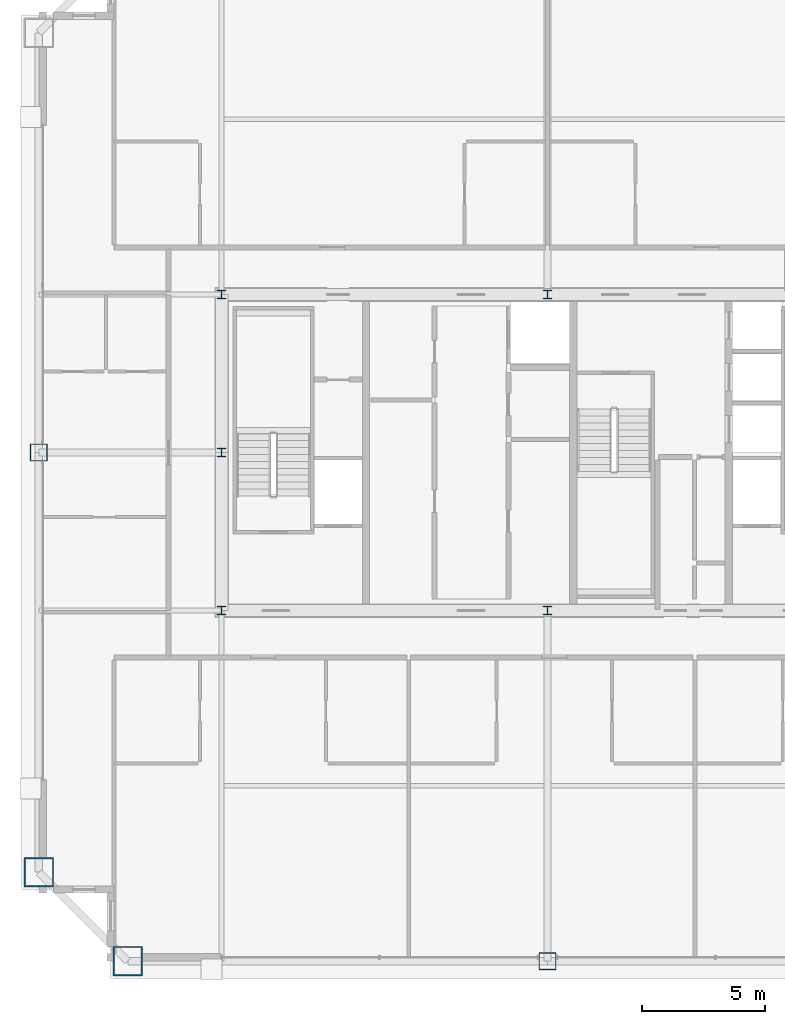
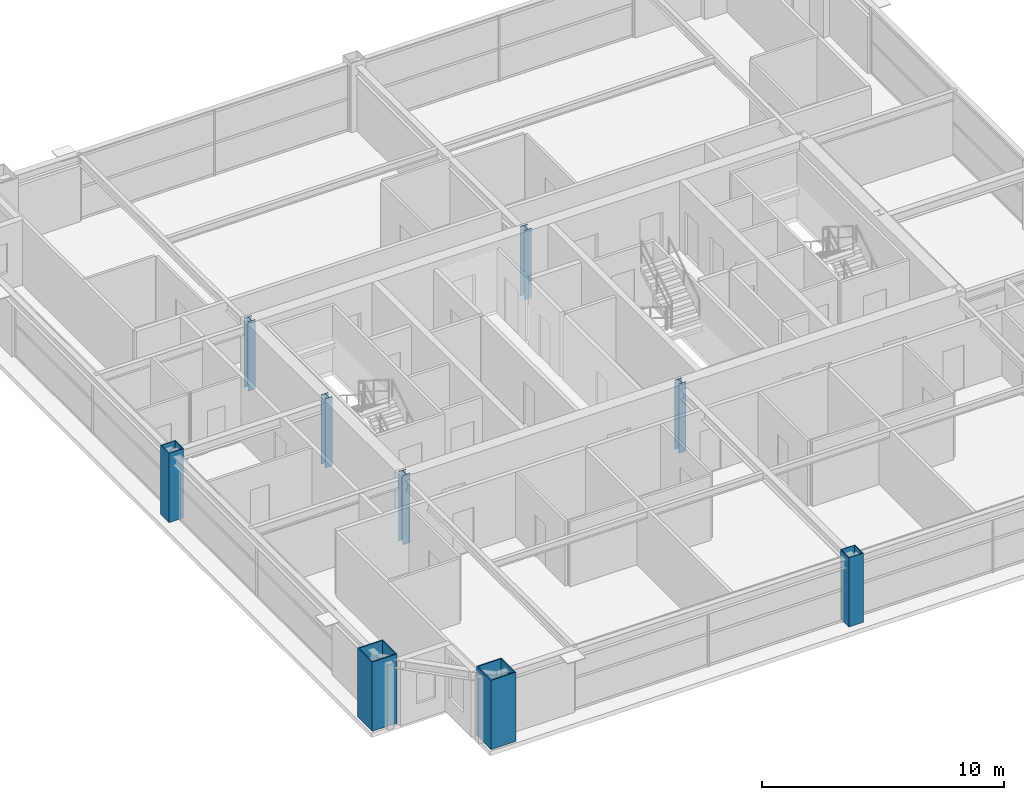
# One storey, part 1 of 37: 9 columns.
"""IFC4 building model written with IfcOpenShell, lengths in metres."""

import ifcopenshell
import ifcopenshell.guid

model = None  # the IFC model being written
_history = None  # IfcOwnerHistory: only IFC2X3 demands one
_inside = {}  # id of a spatial element -> (the spatial element, [elements in it])
_under = {}  # id of a project, library or spatial element -> (it, [spatial elements below it])
_declared = {}  # id of a project -> (the project, [libraries it declares])
_typed = {}  # id of a type object -> (the type object, [elements of that type])
_made_of = {}  # id of a material, layer set ... -> (it, [elements and type objects made of it])


def new_model(schema):
    """Start an empty IFC model of exactly this schema.

    Asked for "IFC4X3", IfcOpenShell would pick the latest addendum, in which some entities
    have other attributes; the version numbers below select the first issue.
    IFC2X3 requires an IfcOwnerHistory on every rooted entity: one is made here for all.
    """
    global model, _history
    if schema == "IFC4X3":
        model = ifcopenshell.file(schema_version=(4, 3, 0, 0))
    else:
        model = ifcopenshell.file(schema=schema)
    _inside.clear()
    _under.clear()
    _declared.clear()
    _typed.clear()
    _made_of.clear()
    _history = None
    if model.schema == "IFC2X3":
        org = make("IfcOrganization", Name="unknown")
        user = make(
            "IfcPersonAndOrganization",
            ThePerson=make("IfcPerson", FamilyName="unknown"),
            TheOrganization=org,
        )
        app = make(
            "IfcApplication",
            ApplicationDeveloper=org,
            Version="unknown",
            ApplicationFullName="unknown",
            ApplicationIdentifier="unknown",
        )
        _history = make(
            "IfcOwnerHistory",
            OwningUser=user,
            OwningApplication=app,
            ChangeAction="ADDED",
            CreationDate=0,
        )
    return model


def make(cls, **values):
    """One entity of the class cls with the attributes given. An attribute that is None is left unset."""
    return model.create_entity(
        cls, **{name: value for name, value in values.items() if value is not None}
    )


def rooted(cls, **values):
    """An entity with a GlobalId (a new one), such as an element, a storey or a relation."""
    return make(cls, GlobalId=ifcopenshell.guid.new(), OwnerHistory=_history, **values)


def si_unit(unit_type, name, prefix=None):
    """IfcSIUnit, for example si_unit("LENGTHUNIT", "METRE", prefix="MILLI")."""
    return make("IfcSIUnit", UnitType=unit_type, Prefix=prefix, Name=name)


def assignment(units):
    """IfcUnitAssignment: the units of a project."""
    return None if units is None else make("IfcUnitAssignment", Units=units)


def point(xyz):
    """IfcCartesianPoint."""
    return None if xyz is None else make("IfcCartesianPoint", Coordinates=xyz)


def direction(xyz):
    """IfcDirection."""
    return None if xyz is None else make("IfcDirection", DirectionRatios=xyz)


def frame(location, z_axis=None, x_axis=None):
    """IfcAxis2Placement3D, a coordinate frame: its origin and axes. An axis left out is left unset."""
    return make(
        "IfcAxis2Placement3D",
        Location=point(location),
        Axis=direction(z_axis),
        RefDirection=direction(x_axis),
    )


def frame_2d(location, x_axis=None):
    """IfcAxis2Placement2D, a coordinate frame in the plane: its origin and x axis."""
    return make(
        "IfcAxis2Placement2D", Location=point(location), RefDirection=direction(x_axis)
    )


def origin():
    """The frame at (0, 0, 0) with its axes left unset."""
    return frame((0.0, 0.0, 0.0))


def origin_2d():
    """The frame at (0, 0) in the plane with its x axis left unset."""
    return frame_2d((0.0, 0.0))


def place(relative_to, where):
    """IfcLocalPlacement: puts the frame where relative to a parent placement (None: the world)."""
    return make(
        "IfcLocalPlacement", PlacementRelTo=relative_to, RelativePlacement=where
    )


def context(
    kind, dimensions, precision=None, world=None, true_north=None, identifier=None
):
    """IfcGeometricRepresentationContext, for example the 3D "Model" context."""
    return make(
        "IfcGeometricRepresentationContext",
        ContextIdentifier=identifier,
        ContextType=kind,
        CoordinateSpaceDimension=dimensions,
        Precision=precision,
        WorldCoordinateSystem=world,
        TrueNorth=true_north,
    )


def subcontext(parent, identifier, kind, view, scale=None):
    """IfcGeometricRepresentationSubContext, for example "Body" below "Model"."""
    return make(
        "IfcGeometricRepresentationSubContext",
        ContextIdentifier=identifier,
        ContextType=kind,
        ParentContext=parent,
        TargetScale=scale,
        TargetView=view,
    )


def project(units=None, contexts=None):
    """IfcProject with its units and contexts."""
    return rooted(
        "IfcProject",
        Name="project",
        RepresentationContexts=contexts,
        UnitsInContext=assignment(units),
    )


def spatial(cls, under=None, at=None, **own):
    """A site, building, storey or space (cls), placed at a placement, below another one or the project."""
    s = rooted(cls, ObjectPlacement=at, **own)
    if under is not None:
        _under.setdefault(under.id(), (under, []))[1].append(s)
    return s


def profile(cls, at=None, kind="AREA", **sizes):
    """A parametric profile (cls). Its sizes go by their IFC names, for example OverallWidth=200.0."""
    return make(cls, ProfileType=kind, Position=at, **sizes)


def hollow_rectangle(**sizes):
    """IfcRectangleHollowProfileDef."""
    return profile("IfcRectangleHollowProfileDef", **sizes)


def i_section(**sizes):
    """IfcIShapeProfileDef."""
    return profile("IfcIShapeProfileDef", **sizes)


def extrude(swept, where, along, depth):
    """IfcExtrudedAreaSolid: the profile swept, set in the frame where, extruded along a direction by depth."""
    return make(
        "IfcExtrudedAreaSolid",
        SweptArea=swept,
        Position=where,
        ExtrudedDirection=direction(along),
        Depth=depth,
    )


def shape(context_of_items, identifier, shape_type, items):
    """IfcShapeRepresentation: the items that make up one representation, for example the "Body"."""
    return make(
        "IfcShapeRepresentation",
        ContextOfItems=context_of_items,
        RepresentationIdentifier=identifier,
        RepresentationType=shape_type,
        Items=items,
    )


def source(mapping_origin, context_of_items, identifier, shape_type, items):
    """IfcRepresentationMap: a shape defined once, which mapped items show again and again."""
    return make(
        "IfcRepresentationMap",
        MappingOrigin=mapping_origin,
        MappedRepresentation=shape(context_of_items, identifier, shape_type, items),
    )


def transform(
    local_origin,
    x_axis=None,
    y_axis=None,
    z_axis=None,
    scale=None,
    scale2=None,
    scale3=None,
    uniform=True,
):
    """IfcCartesianTransformationOperator3D, or its non-uniform kind. x_axis, y_axis, z_axis: its Axis1, 2, 3."""
    if uniform:
        return make(
            "IfcCartesianTransformationOperator3D",
            Axis1=direction(x_axis),
            Axis2=direction(y_axis),
            LocalOrigin=point(local_origin),
            Scale=scale,
            Axis3=direction(z_axis),
        )
    return make(
        "IfcCartesianTransformationOperator3DnonUniform",
        Axis1=direction(x_axis),
        Axis2=direction(y_axis),
        LocalOrigin=point(local_origin),
        Scale=scale,
        Axis3=direction(z_axis),
        Scale2=scale2,
        Scale3=scale3,
    )


def mapped(mapping_source, mapping_target):
    """IfcMappedItem: shows the shape of a source again, moved by a transform."""
    return make(
        "IfcMappedItem", MappingSource=mapping_source, MappingTarget=mapping_target
    )


def material(Name=None, Category=None):
    """IfcMaterial."""
    return make("IfcMaterial", Name=Name, Category=Category)


def material_profile(
    of_material, cross_section, Name=None, Category=None, Priority=None
):
    """IfcMaterialProfile: a cross section and its material."""
    return make(
        "IfcMaterialProfile",
        Name=Name,
        Material=of_material,
        Profile=cross_section,
        Priority=Priority,
        Category=Category,
    )


def profile_set(profiles, Name=None, composite=None):
    """IfcMaterialProfileSet."""
    return make(
        "IfcMaterialProfileSet",
        Name=Name,
        MaterialProfiles=profiles,
        CompositeProfile=composite,
    )


def made_of(thing, what):
    """Note that an element or type object is made of a material, layer set ...; save() writes the relation."""
    if what is not None:
        _made_of.setdefault(what.id(), (what, []))[1].append(thing)
    return thing


def type_object(cls, material=None, **own):
    """A type object (cls), such as IfcWallType, which elements share."""
    return made_of(rooted(cls, **own), material)


def element(
    cls,
    number,
    at=None,
    inside=None,
    cuts=None,
    type_object=None,
    material=None,
    context=None,
    identifier="Body",
    shape_type=None,
    held_by="IfcProductDefinitionShape",
    body=None,
    shapes=None,
    **own,
):
    """One element of the class cls, such as IfcWall. Its Tag is "e" and its number.

    at: its placement. inside: the storey or other place that contains it. cuts: it is an
    opening in that element (IfcRelVoidsElement). A single representation is given by context,
    identifier, shape_type and body (its items); several are given by shapes. held_by: the class
    of the entity that holds the representations. save() writes the other relations.
    """
    e = rooted(cls, Tag="e%d" % number, ObjectPlacement=at, **own)
    if body is not None:
        shapes = [shape(context, identifier, shape_type, body)]
    if shapes is not None:
        e.Representation = make(held_by, Representations=shapes)
    if inside is not None:
        _inside.setdefault(inside.id(), (inside, []))[1].append(e)
    if cuts is not None:
        rooted(
            "IfcRelVoidsElement", RelatingBuildingElement=cuts, RelatedOpeningElement=e
        )
    if type_object is not None:
        _typed.setdefault(type_object.id(), (type_object, []))[1].append(e)
    return made_of(e, material)


def aggregate(whole, parts):
    """IfcRelAggregates: a whole, such as a stair, and the parts it consists of."""
    return rooted("IfcRelAggregates", RelatingObject=whole, RelatedObjects=parts)


def save(model, path):
    """Write the relations noted so far, then the file.

    IfcRelAggregates (storeys below a building ...), IfcRelContainedInSpatialStructure (elements
    in a storey), IfcRelDefinesByType, IfcRelAssociatesMaterial and IfcRelDeclares: one each for
    every whole, place, type object, material and project.
    """
    for whole, parts in _under.values():
        aggregate(whole, parts)
    for where, things in _inside.values():
        rooted(
            "IfcRelContainedInSpatialStructure",
            RelatedElements=things,
            RelatingStructure=where,
        )
    for kind, things in _typed.values():
        rooted("IfcRelDefinesByType", RelatedObjects=things, RelatingType=kind)
    for what, things in _made_of.values():
        rooted("IfcRelAssociatesMaterial", RelatedObjects=things, RelatingMaterial=what)
    for by, libraries in _declared.values():
        rooted("IfcRelDeclares", RelatingContext=by, RelatedDefinitions=libraries)
    model.write(path)


model = new_model("IFC4")

# Units and contexts
model_context = context("Model", 3, precision=1e-05, world=origin(), true_north=direction((0.0, 1.0)))
body_context = subcontext(model_context, "Body", "Model", "MODEL_VIEW")
ifc_project = project(units=[si_unit("LENGTHUNIT", "METRE"), si_unit("AREAUNIT", "SQUARE_METRE"), si_unit("VOLUMEUNIT", "CUBIC_METRE"), si_unit("PLANEANGLEUNIT", "RADIAN"), si_unit("MASSUNIT", "GRAM", prefix="KILO"), si_unit("THERMODYNAMICTEMPERATUREUNIT", "KELVIN"), si_unit("POWERUNIT", "WATT")], contexts=[model_context])

# Site, building, storey
site_placement = place(None, origin())
site = spatial("IfcSite", under=ifc_project, at=site_placement, CompositionType="ELEMENT")
building_placement = place(site_placement, origin())
building = spatial("IfcBuilding", under=site, at=building_placement, Name="Yuzanri Waterfront Tower", CompositionType="ELEMENT")
storey_placement = place(building_placement, frame((0.0, 0.0, 268.10009765625)))
storey = spatial("IfcBuildingStorey", under=building, at=storey_placement, Name="L71", CompositionType="ELEMENT", Elevation=268.10009765625)

# Columns
ifc_material_1 = material(Name="Steel Q390GJC", Category="steel")
ifc_material_profile_1 = material_profile(ifc_material_1, hollow_rectangle(XDim=1.199951171875, YDim=1.199951171875, WallThickness=0.054931640625, at=origin_2d()), Name="RHS 1200x1200x55")
ifc_profile_set_1 = profile_set([ifc_material_profile_1], Name="Steel Q390GJC")
column_type_1 = type_object("IfcColumnType", Name="Mega Column Q390GJC RHS 1200x1200x55", PredefinedType="COLUMN", material=ifc_profile_set_1)
shared_shape_1 = source(origin(), body_context, "Body", "SweptSolid", [
    extrude(hollow_rectangle(XDim=1.199951171875, YDim=1.199951171875, WallThickness=0.054931640625, at=origin_2d()), origin(), (0.0, 0.0, 1.0), 3.5),
])
for number, where, z_axis, x_axis, name in (
    (1, (20.0, 5.199951171875, 0.0), (0.0, 0.0, 1.0), (1.0, 0.0, 0.0), "L71 Perimeter Mega Column S1"),
    (2, (16.39990234375, 8.800048828125, 0.0), (0.0, 0.0, 1.0), (1.0, 0.0, 0.0), "L71 Perimeter Mega Column W1"),
):
    element("IfcColumn", number, at=place(storey_placement, frame(where, z_axis=z_axis, x_axis=x_axis)), inside=storey, type_object=column_type_1, Name=name, PredefinedType="COLUMN", context=body_context, shape_type="MappedRepresentation", body=[
        mapped(shared_shape_1, transform((0.0, 0.0, 0.0), scale=1.0)),
    ])
ifc_material_2 = material(Name="Steel Q355B", Category="steel")
ifc_material_profile_2 = material_profile(ifc_material_2, hollow_rectangle(XDim=0.699951171875, YDim=0.699951171875, WallThickness=0.031982421875, at=origin_2d()), Name="RHS 700x700x32")
ifc_profile_set_2 = profile_set([ifc_material_profile_2], Name="Steel Q355B")
column_type_2 = type_object("IfcColumnType", Name="Frame Column Q355B RHS 700x700x32", PredefinedType="COLUMN", material=ifc_profile_set_2)
shared_shape_2 = source(origin(), body_context, "Body", "SweptSolid", [
    extrude(hollow_rectangle(XDim=0.699951171875, YDim=0.699951171875, WallThickness=0.031982421875, at=origin_2d()), origin(), (0.0, 0.0, 1.0), 3.5),
])
for number, where, z_axis, x_axis, name in (
    (3, (37.0, 5.199951171875, 0.0), (0.0, 0.0, 1.0), (1.0, 0.0, 0.0), "L71 Perimeter Frame Column S2"),
    (4, (16.39990234375, 25.800048828125, 0.0), (0.0, 0.0, 1.0), (1.0, 0.0, 0.0), "L71 Perimeter Frame Column W2"),
):
    element("IfcColumn", number, at=place(storey_placement, frame(where, z_axis=z_axis, x_axis=x_axis)), inside=storey, type_object=column_type_2, Name=name, PredefinedType="COLUMN", context=body_context, shape_type="MappedRepresentation", body=[
        mapped(shared_shape_2, transform((0.0, 0.0, 0.0), scale=1.0)),
    ])
ifc_material_3 = material(Name="Steel Q355B", Category="steel")
ifc_material_profile_3 = material_profile(ifc_material_3, i_section(OverallWidth=0.35009765625, OverallDepth=0.35009765625, WebThickness=0.011962890625, FlangeThickness=0.01904296875, at=origin_2d()), Name="HW 350x350x12x19")
ifc_profile_set_3 = profile_set([ifc_material_profile_3], Name="Steel Q355B")
column_type_3 = type_object("IfcColumnType", Name="Core Post Q355B HW 350x350x12x19", PredefinedType="COLUMN", material=ifc_profile_set_3)
shared_shape_3 = source(origin(), body_context, "Body", "SweptSolid", [
    extrude(i_section(OverallWidth=0.35009765625, OverallDepth=0.35009765625, WebThickness=0.011962890625, FlangeThickness=0.01904296875, at=origin_2d()), origin(), (0.0, 0.0, 1.0), 3.5),
])
for number, where, z_axis, x_axis, name in (
    (5, (23.800048828125, 19.39990234375, 0.0), (0.0, 0.0, 1.0), (1.0, 0.0, 0.0), "L71 Core Boundary Column CP1"),
    (6, (37.0, 19.39990234375, 0.0), (0.0, 0.0, 1.0), (1.0, 0.0, 0.0), "L71 Core Boundary Column CP2"),
    (7, (23.800048828125, 25.800048828125, 0.0), (0.0, 0.0, 1.0), (1.0, 0.0, 0.0), "L71 Core Boundary Column CP4"),
    (8, (23.800048828125, 32.199951171875, 0.0), (0.0, 0.0, 1.0), (1.0, 0.0, 0.0), "L71 Core Boundary Column CP6"),
    (9, (37.0, 32.199951171875, 0.0), (0.0, 0.0, 1.0), (1.0, 0.0, 0.0), "L71 Core Boundary Column CP7"),
):
    element("IfcColumn", number, at=place(storey_placement, frame(where, z_axis=z_axis, x_axis=x_axis)), inside=storey, type_object=column_type_3, Name=name, PredefinedType="COLUMN", context=body_context, shape_type="MappedRepresentation", body=[
        mapped(shared_shape_3, transform((0.0, 0.0, 0.0), scale=1.0)),
    ])

save(model, "model.ifc")
